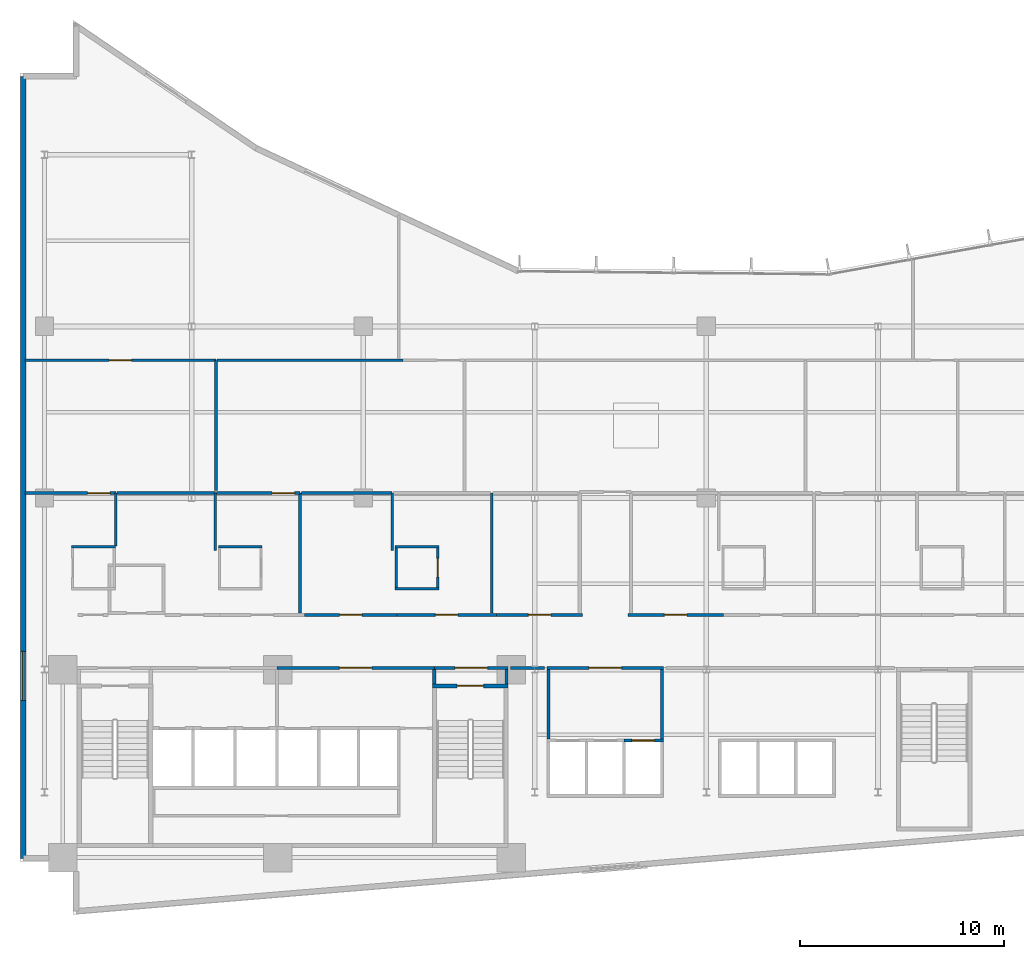
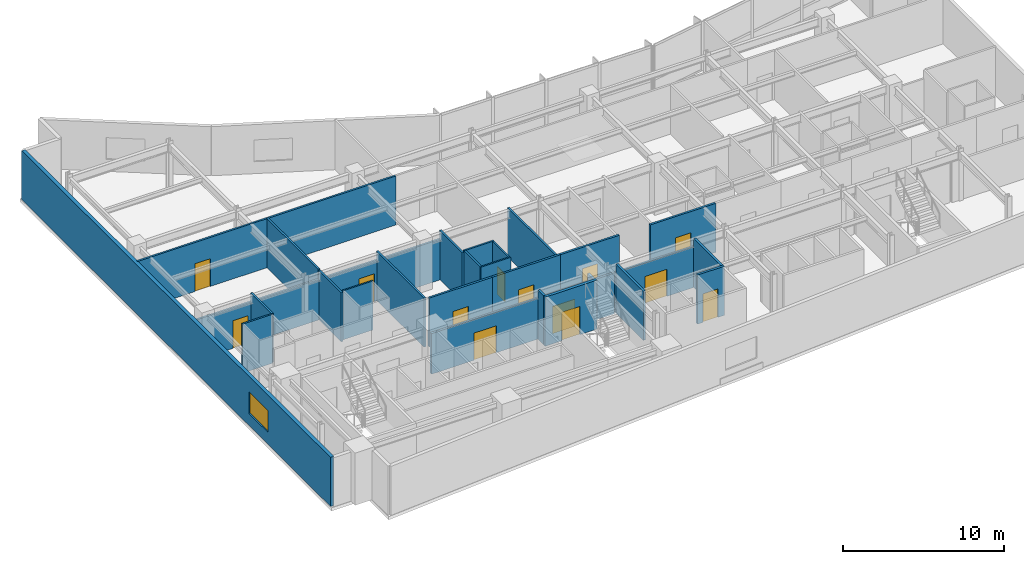
# One storey, part 11 of 19: 33 walls, 13 doors, 1 window, 14 openings.
"""IFC4 building model written with IfcOpenShell, lengths in metres."""

from ifc_helpers import new_model, si_unit, direction, frame, frame_2d, origin, place, context, subcontext, project, spatial, rectangle, extrude, material, layer, layer_set, type_object, element, fill, save


model = new_model("IFC4")

# Units and contexts
model_context = context("Model", 3, precision=1e-05, world=origin(), true_north=direction((0.0, 1.0)))
body_context = subcontext(model_context, "Body", "Model", "MODEL_VIEW")
ifc_project = project(units=[si_unit("LENGTHUNIT", "METRE"), si_unit("AREAUNIT", "SQUARE_METRE"), si_unit("VOLUMEUNIT", "CUBIC_METRE"), si_unit("PLANEANGLEUNIT", "RADIAN"), si_unit("MASSUNIT", "GRAM", prefix="KILO")], contexts=[model_context])

# Site, building, storey
site_placement = place(None, origin())
site = spatial("IfcSite", under=ifc_project, at=site_placement, CompositionType="ELEMENT")
building_placement = place(site_placement, origin())
building = spatial("IfcBuilding", under=site, at=building_placement, Name="Varnakote Quay Hospital", CompositionType="ELEMENT")
storey_placement = place(building_placement, frame((0.0, 0.0, 89.64990234375)))
storey = spatial("IfcBuildingStorey", under=building, at=storey_placement, Name="L22", CompositionType="ELEMENT", Elevation=89.64990234375)

# Wall, opening, door
ifc_material_1 = material(Name="Fire-rated acoustic gypsum stud wall", Category="gypsum")
ifc_layer_1 = layer(ifc_material_1, 0.159912109375)
ifc_layer_set_1 = layer_set([ifc_layer_1], Name="Fire-rated acoustic gypsum stud wall")
wall_type_1 = type_object("IfcWallType", Name="WL-COMP-160", PredefinedType="PARTITIONING", material=ifc_layer_set_1)
wall_1_placement = place(storey_placement, frame((12.580078125, 12.080078125, 0.0), z_axis=(0.0, 0.0, 1.0), x_axis=(1.0, 0.0, 0.0)))
wall_1 = element("IfcWall", 1, at=wall_1_placement, inside=storey, type_object=wall_type_1, Name="L22 Clinical Bed Lift Lobby Wall", PredefinedType="PARTITIONING", context=body_context, shape_type="SweptSolid", body=[
    extrude(rectangle(XDim=7.699951171875, YDim=0.159912109375, at=frame_2d((3.85009765625, 0.0))), origin(), (0.0, 0.0, 1.0), 3.072998046875),
])
opening_1_placement = place(wall_1_placement, frame((3.050048828125, 0.0, 0.0)))
opening_1 = element("IfcOpeningElement", 2, at=opening_1_placement, cuts=wall_1, Name="Opening D-SVL-L22", PredefinedType="OPENING", context=body_context, shape_type="SweptSolid", body=[
    extrude(rectangle(XDim=1.60009765625, YDim=2.050048828125, at=frame_2d((0.800048828125, 1.02490234375))), frame((0.0, 0.08984375, 0.0), z_axis=(0.0, -1.0, 0.0), x_axis=(1.0, 0.0, 0.0)), (0.0, 0.0, 1.0), 0.179931640625),
])
ifc_material_2 = material(Name="Fire-rated double smoke lobby door")
door_type_1 = type_object("IfcDoorType", Name="DR-LOBBY-FD60S-1600x2150", OperationType="NOTDEFINED", PredefinedType="DOOR", material=ifc_material_2)
door_1_placement = place(opening_1_placement, origin())
door_1 = element("IfcDoor", 3, at=door_1_placement, inside=storey, type_object=door_type_1, Name="L22 Clinical Core Smoke Vestibule Door", OperationType="DOUBLE_DOOR_SINGLE_SWING", OverallHeight=2.050048828125, OverallWidth=1.60009765625, PredefinedType="DOOR", context=body_context, shape_type="SweptSolid", body=[
    extrude(rectangle(XDim=1.60009765625, YDim=2.050048828125, at=frame_2d((0.800048828125, 1.02490234375))), frame((0.0, 0.02490234375, 0.0), z_axis=(0.0, -1.0, 0.0), x_axis=(1.0, 0.0, 0.0)), (0.0, 0.0, 1.0), 0.050048828125),
])
fill(opening_1, door_1)

# Wall
wall_2_placement = place(storey_placement, frame((20.280029296875, 11.300048828125, 0.0), z_axis=(0.0, 0.0, 1.0), x_axis=(0.0, 1.0, 0.0)))
element("IfcWall", 4, at=wall_2_placement, inside=storey, type_object=wall_type_1, Name="L22 East Stair Vestibule Divider Wall", PredefinedType="PARTITIONING", context=body_context, shape_type="SweptSolid", body=[
    extrude(rectangle(XDim=0.699951171875, YDim=0.159912109375, at=frame_2d((0.35009765625, 0.0))), origin(), (0.0, 0.0, 1.0), 3.710205078125),
])

# Wall, opening, door
wall_3_placement = place(storey_placement, frame((20.280029296875, 12.080078125, 0.0), z_axis=(0.0, 0.0, 1.0), x_axis=(1.0, 0.0, 0.0)))
wall_3 = element("IfcWall", 5, at=wall_3_placement, inside=storey, type_object=wall_type_1, Name="L22 East Stair Vestibule Smoke Wall", PredefinedType="PARTITIONING", context=body_context, shape_type="SweptSolid", body=[
    extrude(rectangle(XDim=3.619873046875, YDim=0.159912109375, at=frame_2d((1.81005859375, 0.0))), origin(), (0.0, 0.0, 1.0), 3.072998046875),
])
opening_2_placement = place(wall_3_placement, frame((1.010009765625, 0.0, 0.0)))
opening_2 = element("IfcOpeningElement", 6, at=opening_2_placement, cuts=wall_3, Name="Opening D-ST2L-L22", PredefinedType="OPENING", context=body_context, shape_type="SweptSolid", body=[
    extrude(rectangle(XDim=1.60009765625, YDim=2.050048828125, at=frame_2d((0.800048828125, 1.02490234375))), frame((0.0, 0.08984375, 0.0), z_axis=(0.0, -1.0, 0.0), x_axis=(1.0, 0.0, 0.0)), (0.0, 0.0, 1.0), 0.179931640625),
])
door_2_placement = place(opening_2_placement, origin())
door_2 = element("IfcDoor", 7, at=door_2_placement, inside=storey, type_object=door_type_1, Name="L22 East Stair Vestibule Smoke Door", OperationType="DOUBLE_DOOR_SINGLE_SWING", OverallHeight=2.050048828125, OverallWidth=1.60009765625, PredefinedType="DOOR", context=body_context, shape_type="SweptSolid", body=[
    extrude(rectangle(XDim=1.60009765625, YDim=2.050048828125, at=frame_2d((0.800048828125, 1.02490234375))), frame((0.0, 0.02490234375, 0.0), z_axis=(0.0, -1.0, 0.0), x_axis=(1.0, 0.0, 0.0)), (0.0, 0.0, 1.0), 0.050048828125),
])
fill(opening_2, door_2)

# Walls
wall_4_placement = place(storey_placement, frame((23.820068359375, 11.300048828125, 0.0), z_axis=(0.0, 0.0, 1.0), x_axis=(0.0, 1.0, 0.0)))
element("IfcWall", 8, at=wall_4_placement, inside=storey, type_object=wall_type_1, Name="L22 East Stair Vestibule East Wall", PredefinedType="PARTITIONING", context=body_context, shape_type="SweptSolid", body=[
    extrude(rectangle(XDim=0.699951171875, YDim=0.159912109375, at=frame_2d((0.35009765625, 0.0))), origin(), (0.0, 0.0, 1.0), 3.710205078125),
])
for number, where, z_axis, x_axis, name in (
    (9, (25.8701171875, 8.610107421875, 0.0), (0.0, 0.0, 1.0), (0.0, 1.0, 0.0), "L22 Low-Rise Lift Lobby West Wall"),
    (10, (31.429931640625, 8.610107421875, 0.0), (0.0, 0.0, 1.0), (0.0, 1.0, 0.0), "L22 Low-Rise Lift Lobby East Wall"),
):
    element("IfcWall", number, at=place(storey_placement, frame(where, z_axis=z_axis, x_axis=x_axis)), inside=storey, type_object=wall_type_1, Name=name, PredefinedType="PARTITIONING", context=body_context, shape_type="SweptSolid", body=[
        extrude(rectangle(XDim=3.389892578125, YDim=0.159912109375, at=frame_2d((1.69482421875, 0.0))), origin(), (0.0, 0.0, 1.0), 3.710205078125),
    ])

# Wall, opening, door
wall_5_placement = place(storey_placement, frame((25.7900390625, 12.080078125, 0.0), z_axis=(0.0, 0.0, 1.0), x_axis=(1.0, 0.0, 0.0)))
wall_5 = element("IfcWall", 11, at=wall_5_placement, inside=storey, type_object=wall_type_1, Name="L22 Low-Rise Lift Lobby North Wall", PredefinedType="PARTITIONING", context=body_context, shape_type="SweptSolid", body=[
    extrude(rectangle(XDim=5.719970703125, YDim=0.159912109375, at=frame_2d((2.85986328125, 0.0))), origin(), (0.0, 0.0, 1.0), 3.072998046875),
])
opening_3_placement = place(wall_5_placement, frame((2.06005859375, 0.0, 0.0)))
opening_3 = element("IfcOpeningElement", 12, at=opening_3_placement, cuts=wall_5, Name="Opening D-PLL-L22", PredefinedType="OPENING", context=body_context, shape_type="SweptSolid", body=[
    extrude(rectangle(XDim=1.60009765625, YDim=2.050048828125, at=frame_2d((0.800048828125, 1.02490234375))), frame((0.0, 0.08984375, 0.0), z_axis=(0.0, -1.0, 0.0), x_axis=(1.0, 0.0, 0.0)), (0.0, 0.0, 1.0), 0.179931640625),
])
door_3_placement = place(opening_3_placement, origin())
door_3 = element("IfcDoor", 13, at=door_3_placement, inside=storey, type_object=door_type_1, Name="L22 Low-Rise Passenger Concourse Vestibule Door", OperationType="DOUBLE_DOOR_SINGLE_SWING", OverallHeight=2.050048828125, OverallWidth=1.60009765625, PredefinedType="DOOR", context=body_context, shape_type="SweptSolid", body=[
    extrude(rectangle(XDim=1.60009765625, YDim=2.050048828125, at=frame_2d((0.800048828125, 1.02490234375))), frame((0.0, 0.02490234375, 0.0), z_axis=(0.0, -1.0, 0.0), x_axis=(1.0, 0.0, 0.0)), (0.0, 0.0, 1.0), 0.050048828125),
])
fill(opening_3, door_3)

# Walls
wall_6_placement = place(storey_placement, frame((24.02001953125, 12.080078125, 0.0), z_axis=(0.0, 0.0, 1.0), x_axis=(1.0, 0.0, 0.0)))
element("IfcWall", 14, at=wall_6_placement, inside=storey, type_object=wall_type_1, Name="L22 Corridor South Gap Wall", PredefinedType="PARTITIONING", context=body_context, shape_type="SweptSolid", body=[
    extrude(rectangle(XDim=1.64990234375, YDim=0.159912109375, at=frame_2d((0.824951171875, 0.0))), origin(), (0.0, 0.0, 1.0), 3.072998046875),
])
ifc_material_3 = material(Name="Moisture-resistant bathroom partition", Category="gypsum")
ifc_layer_2 = layer(ifc_material_3, 0.114990234375)
ifc_layer_set_2 = layer_set([ifc_layer_2], Name="Moisture-resistant bathroom partition")
wall_type_2 = type_object("IfcWallType", Name="WL-ENS-115", PredefinedType="PARTITIONING", material=ifc_layer_set_2)
wall_7_placement = place(storey_placement, frame((2.514892578125, 18.017578125, 0.0), z_axis=(0.0, 0.0, 1.0), x_axis=(1.0, 0.0, 0.0)))
element("IfcWall", 15, at=wall_7_placement, inside=storey, type_object=wall_type_2, Name="L22 Inpatient En-Suite Bathroom 01 N Wall", PredefinedType="PARTITIONING", context=body_context, shape_type="SweptSolid", body=[
    extrude(rectangle(XDim=2.150146484375, YDim=0.114990234375, at=frame_2d((1.0751953125, 0.0))), origin(), (0.0, 0.0, 1.0), 3.710205078125),
])
for number, where, z_axis, x_axis, name in (
    (16, (9.705078125, 18.017578125, 0.0), (0.0, 0.0, 1.0), (1.0, 0.0, 0.0), "L22 Inpatient En-Suite Bathroom 02 N Wall"),
    (17, (18.364990234375, 15.952392578125, 0.0), (0.0, 0.0, 1.0), (1.0, 0.0, 0.0), "L22 Inpatient En-Suite Bathroom 03 S Wall"),
    (18, (18.364990234375, 18.017578125, 0.0), (0.0, 0.0, 1.0), (1.0, 0.0, 0.0), "L22 Inpatient En-Suite Bathroom 03 N Wall"),
):
    element("IfcWall", number, at=place(storey_placement, frame(where, z_axis=z_axis, x_axis=x_axis)), inside=storey, type_object=wall_type_2, Name=name, PredefinedType="PARTITIONING", context=body_context, shape_type="SweptSolid", body=[
        extrude(rectangle(XDim=2.14990234375, YDim=0.114990234375, at=frame_2d((1.074951171875, 0.0))), origin(), (0.0, 0.0, 1.0), 3.710205078125),
    ])
wall_8_placement = place(storey_placement, frame((18.422607421875, 16.010009765625, 0.0), z_axis=(0.0, 0.0, 1.0), x_axis=(0.0, 1.0, 0.0)))
element("IfcWall", 19, at=wall_8_placement, inside=storey, type_object=wall_type_2, Name="L22 Inpatient En-Suite Bathroom 03 W Wall", PredefinedType="PARTITIONING", context=body_context, shape_type="SweptSolid", body=[
    extrude(rectangle(XDim=1.949951171875, YDim=0.114990234375, at=frame_2d((0.97509765625, 0.0))), origin(), (0.0, 0.0, 1.0), 3.710205078125),
])

# Wall, opening, door
wall_9_placement = place(storey_placement, frame((20.45751953125, 16.010009765625, 0.0), z_axis=(0.0, 0.0, 1.0), x_axis=(0.0, 1.0, 0.0)))
wall_9 = element("IfcWall", 20, at=wall_9_placement, inside=storey, type_object=wall_type_2, Name="L22 Inpatient En-Suite Bathroom 03 E Wall", PredefinedType="PARTITIONING", context=body_context, shape_type="SweptSolid", body=[
    extrude(rectangle(XDim=1.949951171875, YDim=0.114990234375, at=frame_2d((0.97509765625, 0.0))), origin(), (0.0, 0.0, 1.0), 3.710205078125),
])
opening_4_placement = place(wall_9_placement, frame((0.514892578125, 0.0, 0.0)))
opening_4 = element("IfcOpeningElement", 21, at=opening_4_placement, cuts=wall_9, Name="Opening D-L22-ENS03", PredefinedType="OPENING", context=body_context, shape_type="SweptSolid", body=[
    extrude(rectangle(XDim=0.919921875, YDim=2.10009765625, at=frame_2d((0.4599609375, 1.050048828125))), frame((0.0, 0.0673828125, 0.0), z_axis=(0.0, -1.0, 0.0), x_axis=(1.0, 0.0, 0.0)), (0.0, 0.0, 1.0), 0.135009765625),
])
ifc_material_4 = material(Name="Moisture-sealed en-suite bathroom door")
door_type_2 = type_object("IfcDoorType", Name="DR-ENS-920x2100", OperationType="NOTDEFINED", PredefinedType="DOOR", material=ifc_material_4)
door_4_placement = place(opening_4_placement, origin())
door_4 = element("IfcDoor", 22, at=door_4_placement, inside=storey, type_object=door_type_2, Name="L22 Inpatient En-Suite Bathroom 03 Door", OperationType="SINGLE_SWING_LEFT", OverallHeight=2.10009765625, OverallWidth=0.919921875, PredefinedType="DOOR", context=body_context, shape_type="SweptSolid", body=[
    extrude(rectangle(XDim=0.919921875, YDim=2.10009765625, at=frame_2d((0.4599609375, 1.050048828125))), frame((0.0, 0.02490234375, 0.0), z_axis=(0.0, -1.0, 0.0), x_axis=(1.0, 0.0, 0.0)), (0.0, 0.0, 1.0), 0.050048828125),
])
fill(opening_4, door_4)

# Wall, opening, window
ifc_material_5 = material(Name="Precast concrete N50 (f'c 50 MPa)", Category="concrete")
ifc_layer_3 = layer(ifc_material_5, 0.260009765625)
ifc_layer_set_3 = layer_set([ifc_layer_3], Name="Precast concrete N50 (f'c 50 MPa)")
wall_type_3 = type_object("IfcWallType", Name="WL-EXT-BRICK-260", PredefinedType="STANDARD", material=ifc_layer_set_3)
wall_10_placement = place(storey_placement, frame((0.159912109375, 41.0400390625, 0.0), z_axis=(0.0, 0.0, 1.0), x_axis=(0.0, -1.0, 0.0)))
wall_10 = element("IfcWall", 23, at=wall_10_placement, inside=storey, type_object=wall_type_3, Name="L22 Brick-Faced Precast Exterior Wall", PredefinedType="STANDARD", context=body_context, shape_type="SweptSolid", body=[
    extrude(rectangle(XDim=38.280029296875, YDim=0.260009765625, at=frame_2d((19.14013671875, 0.0))), origin(), (0.0, 0.0, 1.0), 3.710205078125),
])
opening_5_placement = place(wall_10_placement, frame((28.14990234375, 0.0, 0.89990234375)))
opening_5 = element("IfcOpeningElement", 24, at=opening_5_placement, cuts=wall_10, Name="Opening WN-0105", PredefinedType="OPENING", context=body_context, shape_type="SweptSolid", body=[
    extrude(rectangle(XDim=2.39990234375, YDim=1.64990234375, at=frame_2d((1.199951171875, 0.824951171875))), frame((0.0, 0.139892578125, 0.0), z_axis=(0.0, -1.0, 0.0), x_axis=(1.0, 0.0, 0.0)), (0.0, 0.0, 1.0), 0.280029296875),
])
ifc_material_6 = material(Name="Double-glazed low-E solar glass", Category="glass")
window_type = type_object("IfcWindowType", Name="WIN-CLIN-2400x1650", PartitioningType="SINGLE_PANEL", PredefinedType="WINDOW", material=ifc_material_6)
window_placement = place(opening_5_placement, origin())
window = element("IfcWindow", 25, at=window_placement, inside=storey, type_object=window_type, Name="L22 Solar-Control Clinical Window", OverallHeight=1.64990234375, OverallWidth=2.39990234375, PartitioningType="SINGLE_PANEL", PredefinedType="WINDOW", context=body_context, shape_type="SweptSolid", body=[
    extrude(rectangle(XDim=2.39990234375, YDim=1.64990234375, at=frame_2d((1.199951171875, 0.824951171875))), frame((0.0, 0.030029296875, 0.0), z_axis=(0.0, -1.0, 0.0), x_axis=(1.0, 0.0, 0.0)), (0.0, 0.0, 1.0), 0.06005859375),
])
fill(opening_5, window)

# Wall, opening, door
ifc_material_7 = material(Name="Concrete N50 (f'c 50 MPa)", Category="concrete")
ifc_layer_4 = layer(ifc_material_7, 0.159912109375)
ifc_layer_set_4 = layer_set([ifc_layer_4], Name="Concrete N50 (f'c 50 MPa)")
wall_type_4 = type_object("IfcWallType", Name="WL-SHAFT-N50-160", PredefinedType="SHEAR", material=ifc_layer_set_4)
wall_11_placement = place(storey_placement, frame((29.574951171875, 8.530029296875, 0.0), z_axis=(0.0, 0.0, 1.0), x_axis=(1.0, 0.0, 0.0)))
wall_11 = element("IfcWall", 26, at=wall_11_placement, inside=storey, type_object=wall_type_4, Name="L22 LF-PL3 Hoistway Front Wall", PredefinedType="SHEAR", context=body_context, shape_type="SweptSolid", body=[
    extrude(rectangle(XDim=1.93505859375, YDim=0.159912109375, at=frame_2d((0.967529296875, 0.0))), origin(), (0.0, 0.0, 1.0), 3.710205078125),
])
opening_6_placement = place(wall_11_placement, frame((0.375, 0.0, 0.0)))
opening_6 = element("IfcOpeningElement", 27, at=opening_6_placement, cuts=wall_11, Name="Opening LD-PL3-L22", PredefinedType="OPENING", context=body_context, shape_type="SweptSolid", body=[
    extrude(rectangle(XDim=1.10009765625, YDim=2.14990234375, at=frame_2d((0.550048828125, 1.074951171875))), frame((0.0, 0.08984375, 0.0), z_axis=(0.0, -1.0, 0.0), x_axis=(1.0, 0.0, 0.0)), (0.0, 0.0, 1.0), 0.179931640625),
])
ifc_material_8 = material(Name="Brushed bronze lift landing sliding door")
door_type_3 = type_object("IfcDoorType", Name="DR-LIFT-LD-1100x2150", OperationType="NOTDEFINED", PredefinedType="DOOR", material=ifc_material_8)
door_5_placement = place(opening_6_placement, origin())
door_5 = element("IfcDoor", 28, at=door_5_placement, inside=storey, type_object=door_type_3, Name="L22 LF-PL3 Lift Landing Sliding Door", OperationType="SLIDING_TO_LEFT", OverallHeight=2.14990234375, OverallWidth=1.10009765625, PredefinedType="DOOR", context=body_context, shape_type="SweptSolid", body=[
    extrude(rectangle(XDim=1.10009765625, YDim=2.14990234375, at=frame_2d((0.550048828125, 1.074951171875))), frame((0.0, 0.02490234375, 0.0), z_axis=(0.0, -1.0, 0.0), x_axis=(1.0, 0.0, 0.0)), (0.0, 0.0, 1.0), 0.050048828125),
])
fill(opening_6, door_5)

ifc_material_9 = material(Name="Concrete N50 (f'c 50 MPa)", Category="concrete")
ifc_layer_5 = layer(ifc_material_9, 0.199951171875)
ifc_layer_set_5 = layer_set([ifc_layer_5], Name="Concrete N50 (f'c 50 MPa)")
wall_type_5 = type_object("IfcWallType", Name="WL-SHAFT-N50-200", PredefinedType="SHEAR", material=ifc_layer_set_5)
wall_12_placement = place(storey_placement, frame((20.199951171875, 11.199951171875, 0.0), z_axis=(0.0, 0.0, 1.0), x_axis=(1.0, 0.0, 0.0)))
wall_12 = element("IfcWall", 29, at=wall_12_placement, inside=storey, type_object=wall_type_5, Name="L22 Stair ST2 Exit Wall", PredefinedType="SHEAR", context=body_context, shape_type="SweptSolid", body=[
    extrude(rectangle(XDim=3.699951171875, YDim=0.199951171875, at=frame_2d((1.85009765625, 0.0))), origin(), (0.0, 0.0, 1.0), 3.710205078125),
])
opening_7_placement = place(wall_12_placement, frame((1.199951171875, 0.0, 0.0)))
opening_7 = element("IfcOpeningElement", 30, at=opening_7_placement, cuts=wall_12, Name="Opening D-ST2-L22", PredefinedType="OPENING", context=body_context, shape_type="SweptSolid", body=[
    extrude(rectangle(XDim=1.300048828125, YDim=2.14990234375, at=frame_2d((0.64990234375, 1.074951171875))), frame((0.0, 0.10986328125, 0.0), z_axis=(0.0, -1.0, 0.0), x_axis=(1.0, 0.0, 0.0)), (0.0, 0.0, 1.0), 0.219970703125),
])
ifc_material_10 = material(Name="Fire-rated ceramic-glazed timber exit door", Category="wood")
door_type_4 = type_object("IfcDoorType", Name="DR-STAIR-FD60S-1300x2150", OperationType="NOTDEFINED", PredefinedType="DOOR", material=ifc_material_10)
door_6_placement = place(opening_7_placement, origin())
door_6 = element("IfcDoor", 31, at=door_6_placement, inside=storey, type_object=door_type_4, Name="L22 Stair ST2 Fire Exit Door", OperationType="SINGLE_SWING_RIGHT", OverallHeight=2.14990234375, OverallWidth=1.300048828125, PredefinedType="DOOR", context=body_context, shape_type="SweptSolid", body=[
    extrude(rectangle(XDim=1.300048828125, YDim=2.14990234375, at=frame_2d((0.64990234375, 1.074951171875))), frame((0.0, 0.02490234375, 0.0), z_axis=(0.0, -1.0, 0.0), x_axis=(1.0, 0.0, 0.0)), (0.0, 0.0, 1.0), 0.050048828125),
])
fill(opening_7, door_6)

# Wall
ifc_material_11 = material(Name="Smoke-proof clinical partition", Category="gypsum")
ifc_layer_6 = layer(ifc_material_11, 0.135009765625)
ifc_layer_set_6 = layer_set([ifc_layer_6], Name="Smoke-proof clinical partition")
wall_type_6 = type_object("IfcWallType", Name="WL-SMOKE-135", PredefinedType="PARTITIONING", material=ifc_layer_set_6)
wall_13_placement = place(storey_placement, frame((4.68994140625, 18.0400390625, 0.0), z_axis=(0.0, 0.0, 1.0), x_axis=(0.0, 1.0, 0.0)))
element("IfcWall", 32, at=wall_13_placement, inside=storey, type_object=wall_type_6, Name="L22 Clinical Interior Partition", PredefinedType="PARTITIONING", context=body_context, shape_type="SweptSolid", body=[
    extrude(rectangle(XDim=2.599853515625, YDim=0.135009765625, at=frame_2d((1.2998046875, 0.0))), origin(), (0.0, 0.0, 1.0), 3.710205078125),
])

# Wall, opening, door
wall_14_placement = place(storey_placement, frame((4.68994140625, 20.639892578125, 0.0), z_axis=(0.0, 0.0, 1.0), x_axis=(-1.0, 0.0, 0.0)))
wall_14 = element("IfcWall", 33, at=wall_14_placement, inside=storey, type_object=wall_type_6, Name="L22 Clinical Interior Partition", PredefinedType="PARTITIONING", context=body_context, shape_type="SweptSolid", body=[
    extrude(rectangle(XDim=4.449951171875, YDim=0.135009765625, at=frame_2d((2.22509765625, 0.0))), origin(), (0.0, 0.0, 1.0), 3.072998046875),
])
opening_8_placement = place(wall_14_placement, frame((0.273681640625, 0.0, 0.0)))
opening_8 = element("IfcOpeningElement", 34, at=opening_8_placement, cuts=wall_14, Name="Opening D-L22-MD07", PredefinedType="OPENING", context=body_context, shape_type="SweptSolid", body=[
    extrude(rectangle(XDim=1.10009765625, YDim=2.10009765625, at=frame_2d((0.550048828125, 1.050048828125))), frame((0.0, 0.077392578125, 0.0), z_axis=(0.0, -1.0, 0.0), x_axis=(1.0, 0.0, 0.0)), (0.0, 0.0, 1.0), 0.155029296875),
])
ifc_material_12 = material(Name="Acoustic timber clinical consult door", Category="wood")
door_type_5 = type_object("IfcDoorType", Name="DR-CLIN-FD30S-1100x2100", OperationType="NOTDEFINED", PredefinedType="DOOR", material=ifc_material_12)
door_7_placement = place(opening_8_placement, origin())
door_7 = element("IfcDoor", 35, at=door_7_placement, inside=storey, type_object=door_type_5, Name="L22 Critical Care Clinical Consultation Suite Door", OperationType="SINGLE_SWING_LEFT", OverallHeight=2.10009765625, OverallWidth=1.10009765625, PredefinedType="DOOR", context=body_context, shape_type="SweptSolid", body=[
    extrude(rectangle(XDim=1.10009765625, YDim=2.10009765625, at=frame_2d((0.550048828125, 1.050048828125))), frame((0.0, 0.02490234375, 0.0), z_axis=(0.0, -1.0, 0.0), x_axis=(1.0, 0.0, 0.0)), (0.0, 0.0, 1.0), 0.050048828125),
])
fill(opening_8, door_7)

# Walls
wall_15_placement = place(storey_placement, frame((9.56005859375, 17.83251953125, 0.0), z_axis=(0.0, 0.0, 1.0), x_axis=(0.0, 1.0, 0.0)))
element("IfcWall", 36, at=wall_15_placement, inside=storey, type_object=wall_type_6, Name="L22 Clinical Interior Partition", PredefinedType="PARTITIONING", context=body_context, shape_type="SweptSolid", body=[
    extrude(rectangle(XDim=2.807373046875, YDim=0.135009765625, at=frame_2d((1.40380859375, 0.0))), origin(), (0.0, 0.0, 1.0), 3.710205078125),
])
wall_16_placement = place(storey_placement, frame((9.56005859375, 20.639892578125, 0.0), z_axis=(0.0, 0.0, 1.0), x_axis=(-1.0, 0.0, 0.0)))
element("IfcWall", 37, at=wall_16_placement, inside=storey, type_object=wall_type_6, Name="L22 Clinical Interior Partition", PredefinedType="PARTITIONING", context=body_context, shape_type="SweptSolid", body=[
    extrude(rectangle(XDim=4.8125, YDim=0.135009765625, at=frame_2d((2.40625, 0.0))), origin(), (0.0, 0.0, 1.0), 3.072998046875),
])
wall_17_placement = place(storey_placement, frame((13.7099609375, 14.760009765625, 0.0), z_axis=(0.0, 0.0, 1.0), x_axis=(0.0, 1.0, 0.0)))
element("IfcWall", 38, at=wall_17_placement, inside=storey, type_object=wall_type_6, Name="L22 Clinical Interior Partition", PredefinedType="PARTITIONING", context=body_context, shape_type="SweptSolid", body=[
    extrude(rectangle(XDim=5.8798828125, YDim=0.135009765625, at=frame_2d((2.93994140625, 0.0))), origin(), (0.0, 0.0, 1.0), 3.710205078125),
])

# Wall, opening, door
wall_18_placement = place(storey_placement, frame((13.7099609375, 20.639892578125, 0.0), z_axis=(0.0, 0.0, 1.0), x_axis=(-1.0, 0.0, 0.0)))
wall_18 = element("IfcWall", 39, at=wall_18_placement, inside=storey, type_object=wall_type_6, Name="L22 Clinical Interior Partition", PredefinedType="PARTITIONING", context=body_context, shape_type="SweptSolid", body=[
    extrude(rectangle(XDim=4.092529296875, YDim=0.135009765625, at=frame_2d((2.04638671875, 0.0))), origin(), (0.0, 0.0, 1.0), 3.072998046875),
])
opening_9_placement = place(wall_18_placement, frame((0.264892578125, 0.0, 0.0)))
opening_9 = element("IfcOpeningElement", 40, at=opening_9_placement, cuts=wall_18, Name="Opening D-L22-MD08", PredefinedType="OPENING", context=body_context, shape_type="SweptSolid", body=[
    extrude(rectangle(XDim=1.10009765625, YDim=2.10009765625, at=frame_2d((0.550048828125, 1.050048828125))), frame((0.0, 0.077392578125, 0.0), z_axis=(0.0, -1.0, 0.0), x_axis=(1.0, 0.0, 0.0)), (0.0, 0.0, 1.0), 0.155029296875),
])
door_8_placement = place(opening_9_placement, origin())
door_8 = element("IfcDoor", 41, at=door_8_placement, inside=storey, type_object=door_type_5, Name="L22 Senior Intensivist Office Door", OperationType="SINGLE_SWING_RIGHT", OverallHeight=2.10009765625, OverallWidth=1.10009765625, PredefinedType="DOOR", context=body_context, shape_type="SweptSolid", body=[
    extrude(rectangle(XDim=1.10009765625, YDim=2.10009765625, at=frame_2d((0.550048828125, 1.050048828125))), frame((0.0, 0.02490234375, 0.0), z_axis=(0.0, -1.0, 0.0), x_axis=(1.0, 0.0, 0.0)), (0.0, 0.0, 1.0), 0.050048828125),
])
fill(opening_9, door_8)

# Walls
wall_19_placement = place(storey_placement, frame((18.219970703125, 17.83251953125, 0.0), z_axis=(0.0, 0.0, 1.0), x_axis=(0.0, 1.0, 0.0)))
element("IfcWall", 42, at=wall_19_placement, inside=storey, type_object=wall_type_6, Name="L22 Clinical Interior Partition", PredefinedType="PARTITIONING", context=body_context, shape_type="SweptSolid", body=[
    extrude(rectangle(XDim=2.807373046875, YDim=0.135009765625, at=frame_2d((1.40380859375, 0.0))), origin(), (0.0, 0.0, 1.0), 3.710205078125),
])
wall_20_placement = place(storey_placement, frame((18.219970703125, 20.639892578125, 0.0), z_axis=(0.0, 0.0, 1.0), x_axis=(-1.0, 0.0, 0.0)))
element("IfcWall", 43, at=wall_20_placement, inside=storey, type_object=wall_type_6, Name="L22 Clinical Interior Partition", PredefinedType="PARTITIONING", context=body_context, shape_type="SweptSolid", body=[
    extrude(rectangle(XDim=4.452392578125, YDim=0.135009765625, at=frame_2d((2.22607421875, 0.0))), origin(), (0.0, 0.0, 1.0), 3.072998046875),
])
wall_21_placement = place(storey_placement, frame((23.090087890625, 14.760009765625, 0.0), z_axis=(0.0, 0.0, 1.0), x_axis=(0.0, 1.0, 0.0)))
element("IfcWall", 44, at=wall_21_placement, inside=storey, type_object=wall_type_6, Name="L22 Clinical Interior Partition", PredefinedType="PARTITIONING", context=body_context, shape_type="SweptSolid", body=[
    extrude(rectangle(XDim=5.8798828125, YDim=0.135009765625, at=frame_2d((2.93994140625, 0.0))), origin(), (0.0, 0.0, 1.0), 3.710205078125),
])
wall_22_placement = place(storey_placement, frame((9.590087890625, 20.760009765625, 0.0), z_axis=(0.0, 0.0, 1.0), x_axis=(0.0, 1.0, 0.0)))
element("IfcWall", 45, at=wall_22_placement, inside=storey, type_object=wall_type_6, Name="L22 Clinical Interior Partition", PredefinedType="PARTITIONING", context=body_context, shape_type="SweptSolid", body=[
    extrude(rectangle(XDim=6.3798828125, YDim=0.135009765625, at=frame_2d((3.18994140625, 0.0))), origin(), (0.0, 0.0, 1.0), 3.710205078125),
])

# Wall, opening, door
wall_23_placement = place(storey_placement, frame((9.590087890625, 27.139892578125, 0.0), z_axis=(0.0, 0.0, 1.0), x_axis=(-1.0, 0.0, 0.0)))
wall_23 = element("IfcWall", 46, at=wall_23_placement, inside=storey, type_object=wall_type_6, Name="L22 Clinical Interior Partition", PredefinedType="PARTITIONING", context=body_context, shape_type="SweptSolid", body=[
    extrude(rectangle(XDim=9.35009765625, YDim=0.135009765625, at=frame_2d((4.675048828125, 0.0))), origin(), (0.0, 0.0, 1.0), 3.710205078125),
])
opening_10_placement = place(wall_23_placement, frame((4.125, 0.0, 0.0)))
opening_10 = element("IfcOpeningElement", 47, at=opening_10_placement, cuts=wall_23, Name="Opening D-L22-MD10", PredefinedType="OPENING", context=body_context, shape_type="SweptSolid", body=[
    extrude(rectangle(XDim=1.10009765625, YDim=2.10009765625, at=frame_2d((0.550048828125, 1.050048828125))), frame((0.0, 0.077392578125, 0.0), z_axis=(0.0, -1.0, 0.0), x_axis=(1.0, 0.0, 0.0)), (0.0, 0.0, 1.0), 0.155029296875),
])
door_9_placement = place(opening_10_placement, origin())
door_9 = element("IfcDoor", 48, at=door_9_placement, inside=storey, type_object=door_type_5, Name="L22 Intensivist Medication Pantry Door", OperationType="SINGLE_SWING_LEFT", OverallHeight=2.10009765625, OverallWidth=1.10009765625, PredefinedType="DOOR", context=body_context, shape_type="SweptSolid", body=[
    extrude(rectangle(XDim=1.10009765625, YDim=2.10009765625, at=frame_2d((0.550048828125, 1.050048828125))), frame((0.0, 0.02490234375, 0.0), z_axis=(0.0, -1.0, 0.0), x_axis=(1.0, 0.0, 0.0)), (0.0, 0.0, 1.0), 0.050048828125),
])
fill(opening_10, door_9)

# Wall
wall_24_placement = place(storey_placement, frame((18.74755859375, 27.139892578125, 0.0), z_axis=(0.0, 0.0, 1.0), x_axis=(-1.0, 0.0, 0.0)))
element("IfcWall", 49, at=wall_24_placement, inside=storey, type_object=wall_type_6, Name="L22 Clinical Interior Partition", PredefinedType="PARTITIONING", context=body_context, shape_type="SweptSolid", body=[
    extrude(rectangle(XDim=9.10009765625, YDim=0.135009765625, at=frame_2d((4.550048828125, 0.0))), origin(), (0.0, 0.0, 1.0), 3.710205078125),
])

# Wall, opening, door
ifc_material_13 = material(Name="Fire-rated clinical gypsum partition", Category="gypsum")
ifc_layer_7 = layer(ifc_material_13, 0.14990234375)
ifc_layer_set_7 = layer_set([ifc_layer_7], Name="Fire-rated clinical gypsum partition")
wall_type_7 = type_object("IfcWallType", Name="WL-WARD-150", PredefinedType="PARTITIONING", material=ifc_layer_set_7)
wall_25_placement = place(storey_placement, frame((18.446044921875, 14.679931640625, 0.0), z_axis=(0.0, 0.0, 1.0), x_axis=(-1.0, 0.0, 0.0)))
wall_25 = element("IfcWall", 50, at=wall_25_placement, inside=storey, type_object=wall_type_7, Name="L22 Clinical Interior Partition", PredefinedType="PARTITIONING", context=body_context, shape_type="SweptSolid", body=[
    extrude(rectangle(XDim=4.508056640625, YDim=0.14990234375, at=frame_2d((2.25390625, 0.0))), origin(), (0.0, 0.0, 1.0), 3.710205078125),
])
opening_11_placement = place(wall_25_placement, frame((1.7041015625, 0.0, 0.0)))
opening_11 = element("IfcOpeningElement", 51, at=opening_11_placement, cuts=wall_25, Name="Opening D-L22-MD02", PredefinedType="OPENING", context=body_context, shape_type="SweptSolid", body=[
    extrude(rectangle(XDim=1.10009765625, YDim=2.10009765625, at=frame_2d((0.550048828125, 1.050048828125))), frame((0.0, 0.0849609375, 0.0), z_axis=(0.0, -1.0, 0.0), x_axis=(1.0, 0.0, 0.0)), (0.0, 0.0, 1.0), 0.169921875),
])
door_10_placement = place(opening_11_placement, origin())
door_10 = element("IfcDoor", 52, at=door_10_placement, inside=storey, type_object=door_type_5, Name="L22 Intensivist Medication Pantry Door", OperationType="SINGLE_SWING_LEFT", OverallHeight=2.10009765625, OverallWidth=1.10009765625, PredefinedType="DOOR", context=body_context, shape_type="SweptSolid", body=[
    extrude(rectangle(XDim=1.10009765625, YDim=2.10009765625, at=frame_2d((0.550048828125, 1.050048828125))), frame((0.0, 0.02490234375, 0.0), z_axis=(0.0, -1.0, 0.0), x_axis=(1.0, 0.0, 0.0)), (0.0, 0.0, 1.0), 0.050048828125),
])
fill(opening_11, door_10)

wall_26_placement = place(storey_placement, frame((23.31591796875, 14.679931640625, 0.0), z_axis=(0.0, 0.0, 1.0), x_axis=(-1.0, 0.0, 0.0)))
wall_26 = element("IfcWall", 53, at=wall_26_placement, inside=storey, type_object=wall_type_7, Name="L22 Clinical Interior Partition", PredefinedType="PARTITIONING", context=body_context, shape_type="SweptSolid", body=[
    extrude(rectangle(XDim=4.867919921875, YDim=0.14990234375, at=frame_2d((2.43408203125, 0.0))), origin(), (0.0, 0.0, 1.0), 3.710205078125),
])
opening_12_placement = place(wall_26_placement, frame((1.884033203125, 0.0, 0.0)))
opening_12 = element("IfcOpeningElement", 54, at=opening_12_placement, cuts=wall_26, Name="Opening D-L22-BR03", PredefinedType="OPENING", context=body_context, shape_type="SweptSolid", body=[
    extrude(rectangle(XDim=1.10009765625, YDim=2.10009765625, at=frame_2d((0.550048828125, 1.050048828125))), frame((0.0, 0.0849609375, 0.0), z_axis=(0.0, -1.0, 0.0), x_axis=(1.0, 0.0, 0.0)), (0.0, 0.0, 1.0), 0.169921875),
])
door_11_placement = place(opening_12_placement, origin())
door_11 = element("IfcDoor", 55, at=door_11_placement, inside=storey, type_object=door_type_5, Name="L22 Inpatient Clinical Treatment Room 03 Door", OperationType="SINGLE_SWING_RIGHT", OverallHeight=2.10009765625, OverallWidth=1.10009765625, PredefinedType="DOOR", context=body_context, shape_type="SweptSolid", body=[
    extrude(rectangle(XDim=1.10009765625, YDim=2.10009765625, at=frame_2d((0.550048828125, 1.050048828125))), frame((0.0, 0.02490234375, 0.0), z_axis=(0.0, -1.0, 0.0), x_axis=(1.0, 0.0, 0.0)), (0.0, 0.0, 1.0), 0.050048828125),
])
fill(opening_12, door_11)

wall_27_placement = place(storey_placement, frame((27.5458984375, 14.679931640625, 0.0), z_axis=(0.0, 0.0, 1.0), x_axis=(-1.0, 0.0, 0.0)))
wall_27 = element("IfcWall", 56, at=wall_27_placement, inside=storey, type_object=wall_type_7, Name="L22 Clinical Interior Partition", PredefinedType="PARTITIONING", context=body_context, shape_type="SweptSolid", body=[
    extrude(rectangle(XDim=4.227783203125, YDim=0.14990234375, at=frame_2d((2.11376953125, 0.0))), origin(), (0.0, 0.0, 1.0), 3.710205078125),
])
opening_13_placement = place(wall_27_placement, frame((1.56396484375, 0.0, 0.0)))
opening_13 = element("IfcOpeningElement", 57, at=opening_13_placement, cuts=wall_27, Name="Opening D-L22-MD03", PredefinedType="OPENING", context=body_context, shape_type="SweptSolid", body=[
    extrude(rectangle(XDim=1.10009765625, YDim=2.10009765625, at=frame_2d((0.550048828125, 1.050048828125))), frame((0.0, 0.0849609375, 0.0), z_axis=(0.0, -1.0, 0.0), x_axis=(1.0, 0.0, 0.0)), (0.0, 0.0, 1.0), 0.169921875),
])
door_12_placement = place(opening_13_placement, origin())
door_12 = element("IfcDoor", 58, at=door_12_placement, inside=storey, type_object=door_type_5, Name="L22 Critical Care Clinical Consultation Suite Door", OperationType="SINGLE_SWING_LEFT", OverallHeight=2.10009765625, OverallWidth=1.10009765625, PredefinedType="DOOR", context=body_context, shape_type="SweptSolid", body=[
    extrude(rectangle(XDim=1.10009765625, YDim=2.10009765625, at=frame_2d((0.550048828125, 1.050048828125))), frame((0.0, 0.02490234375, 0.0), z_axis=(0.0, -1.0, 0.0), x_axis=(1.0, 0.0, 0.0)), (0.0, 0.0, 1.0), 0.050048828125),
])
fill(opening_13, door_12)

wall_28_placement = place(storey_placement, frame((34.43603515625, 14.679931640625, 0.0), z_axis=(0.0, 0.0, 1.0), x_axis=(-1.0, 0.0, 0.0)))
wall_28 = element("IfcWall", 59, at=wall_28_placement, inside=storey, type_object=wall_type_7, Name="L22 Clinical Interior Partition", PredefinedType="PARTITIONING", context=body_context, shape_type="SweptSolid", body=[
    extrude(rectangle(XDim=4.68212890625, YDim=0.14990234375, at=frame_2d((2.341064453125, 0.0))), origin(), (0.0, 0.0, 1.0), 3.710205078125),
])
opening_14_placement = place(wall_28_placement, frame((1.791015625, 0.0, 0.0)))
opening_14 = element("IfcOpeningElement", 60, at=opening_14_placement, cuts=wall_28, Name="Opening D-L22-MD04", PredefinedType="OPENING", context=body_context, shape_type="SweptSolid", body=[
    extrude(rectangle(XDim=1.10009765625, YDim=2.10009765625, at=frame_2d((0.550048828125, 1.050048828125))), frame((0.0, 0.0849609375, 0.0), z_axis=(0.0, -1.0, 0.0), x_axis=(1.0, 0.0, 0.0)), (0.0, 0.0, 1.0), 0.169921875),
])
door_13_placement = place(opening_14_placement, origin())
door_13 = element("IfcDoor", 61, at=door_13_placement, inside=storey, type_object=door_type_5, Name="L22 Senior Intensivist Office Door", OperationType="SINGLE_SWING_RIGHT", OverallHeight=2.10009765625, OverallWidth=1.10009765625, PredefinedType="DOOR", context=body_context, shape_type="SweptSolid", body=[
    extrude(rectangle(XDim=1.10009765625, YDim=2.10009765625, at=frame_2d((0.550048828125, 1.050048828125))), frame((0.0, 0.02490234375, 0.0), z_axis=(0.0, -1.0, 0.0), x_axis=(1.0, 0.0, 0.0)), (0.0, 0.0, 1.0), 0.050048828125),
])
fill(opening_14, door_13)

save(model, "model.ifc")
